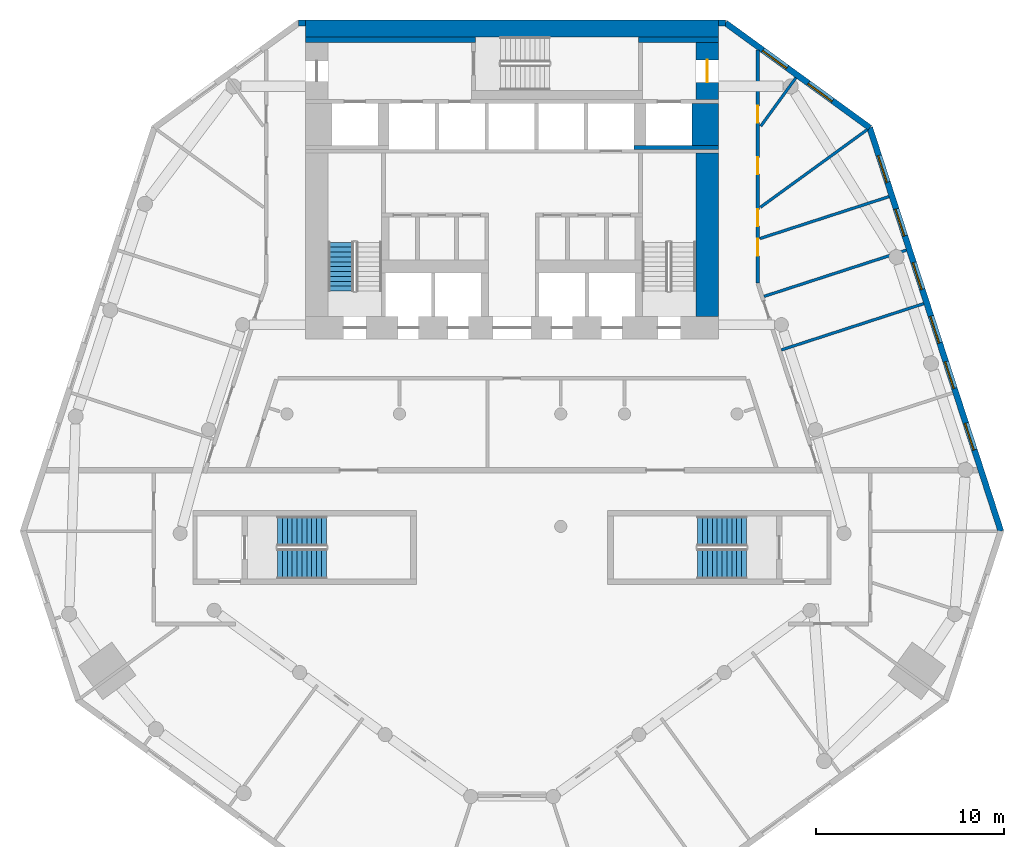
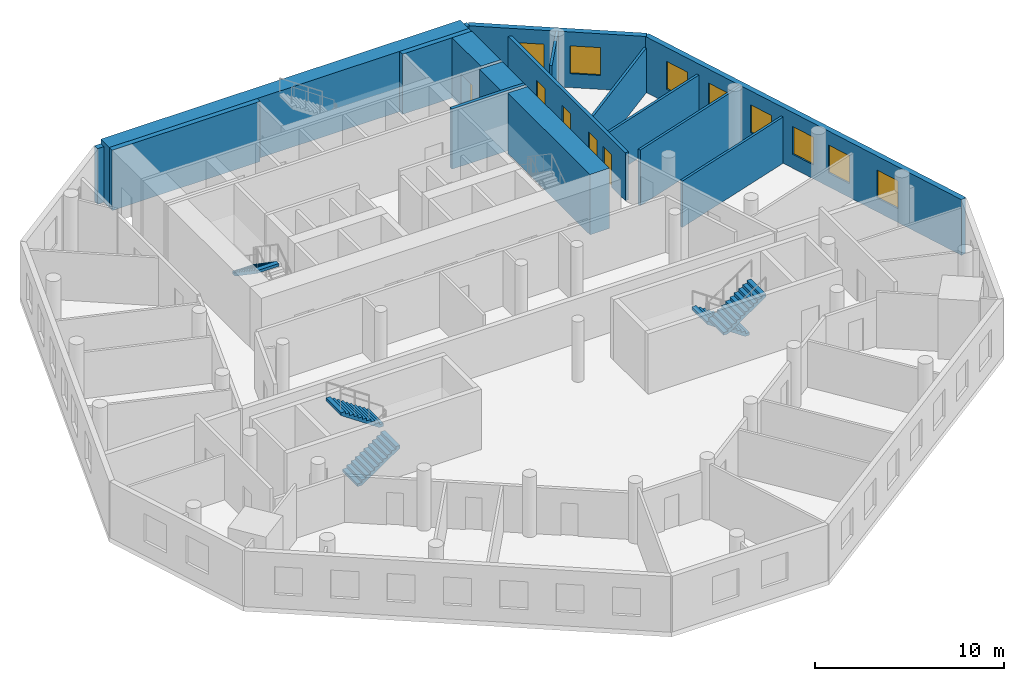
# One storey, part 6 of 9: 17 walls, 8 windows, 5 doors, 5 stair flights, 13 openings, 3 elements without a shape of their own.
"""IFC4 building model written with IfcOpenShell, lengths in metres."""

import ifcopenshell
import ifcopenshell.guid

model = None  # the IFC model being written
_history = None  # IfcOwnerHistory: only IFC2X3 demands one
_inside = {}  # id of a spatial element -> (the spatial element, [elements in it])
_under = {}  # id of a project, library or spatial element -> (it, [spatial elements below it])
_declared = {}  # id of a project -> (the project, [libraries it declares])
_typed = {}  # id of a type object -> (the type object, [elements of that type])
_made_of = {}  # id of a material, layer set ... -> (it, [elements and type objects made of it])


def new_model(schema):
    """Start an empty IFC model of exactly this schema.

    Asked for "IFC4X3", IfcOpenShell would pick the latest addendum, in which some entities
    have other attributes; the version numbers below select the first issue.
    IFC2X3 requires an IfcOwnerHistory on every rooted entity: one is made here for all.
    """
    global model, _history
    if schema == "IFC4X3":
        model = ifcopenshell.file(schema_version=(4, 3, 0, 0))
    else:
        model = ifcopenshell.file(schema=schema)
    _inside.clear()
    _under.clear()
    _declared.clear()
    _typed.clear()
    _made_of.clear()
    _history = None
    if model.schema == "IFC2X3":
        org = make("IfcOrganization", Name="unknown")
        user = make(
            "IfcPersonAndOrganization",
            ThePerson=make("IfcPerson", FamilyName="unknown"),
            TheOrganization=org,
        )
        app = make(
            "IfcApplication",
            ApplicationDeveloper=org,
            Version="unknown",
            ApplicationFullName="unknown",
            ApplicationIdentifier="unknown",
        )
        _history = make(
            "IfcOwnerHistory",
            OwningUser=user,
            OwningApplication=app,
            ChangeAction="ADDED",
            CreationDate=0,
        )
    return model


def make(cls, **values):
    """One entity of the class cls with the attributes given. An attribute that is None is left unset."""
    return model.create_entity(
        cls, **{name: value for name, value in values.items() if value is not None}
    )


def rooted(cls, **values):
    """An entity with a GlobalId (a new one), such as an element, a storey or a relation."""
    return make(cls, GlobalId=ifcopenshell.guid.new(), OwnerHistory=_history, **values)


def si_unit(unit_type, name, prefix=None):
    """IfcSIUnit, for example si_unit("LENGTHUNIT", "METRE", prefix="MILLI")."""
    return make("IfcSIUnit", UnitType=unit_type, Prefix=prefix, Name=name)


def assignment(units):
    """IfcUnitAssignment: the units of a project."""
    return None if units is None else make("IfcUnitAssignment", Units=units)


def point(xyz):
    """IfcCartesianPoint."""
    return None if xyz is None else make("IfcCartesianPoint", Coordinates=xyz)


def direction(xyz):
    """IfcDirection."""
    return None if xyz is None else make("IfcDirection", DirectionRatios=xyz)


def frame(location, z_axis=None, x_axis=None):
    """IfcAxis2Placement3D, a coordinate frame: its origin and axes. An axis left out is left unset."""
    return make(
        "IfcAxis2Placement3D",
        Location=point(location),
        Axis=direction(z_axis),
        RefDirection=direction(x_axis),
    )


def frame_2d(location, x_axis=None):
    """IfcAxis2Placement2D, a coordinate frame in the plane: its origin and x axis."""
    return make(
        "IfcAxis2Placement2D", Location=point(location), RefDirection=direction(x_axis)
    )


def origin():
    """The frame at (0, 0, 0) with its axes left unset."""
    return frame((0.0, 0.0, 0.0))


def place(relative_to, where):
    """IfcLocalPlacement: puts the frame where relative to a parent placement (None: the world)."""
    return make(
        "IfcLocalPlacement", PlacementRelTo=relative_to, RelativePlacement=where
    )


def context(
    kind, dimensions, precision=None, world=None, true_north=None, identifier=None
):
    """IfcGeometricRepresentationContext, for example the 3D "Model" context."""
    return make(
        "IfcGeometricRepresentationContext",
        ContextIdentifier=identifier,
        ContextType=kind,
        CoordinateSpaceDimension=dimensions,
        Precision=precision,
        WorldCoordinateSystem=world,
        TrueNorth=true_north,
    )


def subcontext(parent, identifier, kind, view, scale=None):
    """IfcGeometricRepresentationSubContext, for example "Body" below "Model"."""
    return make(
        "IfcGeometricRepresentationSubContext",
        ContextIdentifier=identifier,
        ContextType=kind,
        ParentContext=parent,
        TargetScale=scale,
        TargetView=view,
    )


def project(units=None, contexts=None):
    """IfcProject with its units and contexts."""
    return rooted(
        "IfcProject",
        Name="project",
        RepresentationContexts=contexts,
        UnitsInContext=assignment(units),
    )


def spatial(cls, under=None, at=None, **own):
    """A site, building, storey or space (cls), placed at a placement, below another one or the project."""
    s = rooted(cls, ObjectPlacement=at, **own)
    if under is not None:
        _under.setdefault(under.id(), (under, []))[1].append(s)
    return s


def polyline(points):
    """IfcPolyline through the points."""
    return make("IfcPolyline", Points=[point(p) for p in points])


def profile(cls, at=None, kind="AREA", **sizes):
    """A parametric profile (cls). Its sizes go by their IFC names, for example OverallWidth=200.0."""
    return make(cls, ProfileType=kind, Position=at, **sizes)


def rectangle(**sizes):
    """IfcRectangleProfileDef."""
    return profile("IfcRectangleProfileDef", **sizes)


def outline(outer, holes=None, kind="AREA"):
    """IfcArbitraryClosedProfileDef: a profile drawn as a closed curve; with holes, ...WithVoids."""
    if holes is None:
        return make("IfcArbitraryClosedProfileDef", ProfileType=kind, OuterCurve=outer)
    return make(
        "IfcArbitraryProfileDefWithVoids",
        ProfileType=kind,
        OuterCurve=outer,
        InnerCurves=holes,
    )


def extrude(swept, where, along, depth):
    """IfcExtrudedAreaSolid: the profile swept, set in the frame where, extruded along a direction by depth."""
    return make(
        "IfcExtrudedAreaSolid",
        SweptArea=swept,
        Position=where,
        ExtrudedDirection=direction(along),
        Depth=depth,
    )


def shape(context_of_items, identifier, shape_type, items):
    """IfcShapeRepresentation: the items that make up one representation, for example the "Body"."""
    return make(
        "IfcShapeRepresentation",
        ContextOfItems=context_of_items,
        RepresentationIdentifier=identifier,
        RepresentationType=shape_type,
        Items=items,
    )


def material(Name=None, Category=None):
    """IfcMaterial."""
    return make("IfcMaterial", Name=Name, Category=Category)


def layer(
    of_material, thickness, ventilated=None, Name=None, Category=None, Priority=None
):
    """IfcMaterialLayer: one layer of a wall or slab, of a material (None: an air gap)."""
    return make(
        "IfcMaterialLayer",
        Material=of_material,
        LayerThickness=thickness,
        IsVentilated=ventilated,
        Name=Name,
        Category=Category,
        Priority=Priority,
    )


def layer_set(layers, Name=None):
    """IfcMaterialLayerSet."""
    return make("IfcMaterialLayerSet", MaterialLayers=layers, LayerSetName=Name)


def made_of(thing, what):
    """Note that an element or type object is made of a material, layer set ...; save() writes the relation."""
    if what is not None:
        _made_of.setdefault(what.id(), (what, []))[1].append(thing)
    return thing


def type_object(cls, material=None, **own):
    """A type object (cls), such as IfcWallType, which elements share."""
    return made_of(rooted(cls, **own), material)


def element(
    cls,
    number,
    at=None,
    inside=None,
    cuts=None,
    type_object=None,
    material=None,
    context=None,
    identifier="Body",
    shape_type=None,
    held_by="IfcProductDefinitionShape",
    body=None,
    shapes=None,
    **own,
):
    """One element of the class cls, such as IfcWall. Its Tag is "e" and its number.

    at: its placement. inside: the storey or other place that contains it. cuts: it is an
    opening in that element (IfcRelVoidsElement). A single representation is given by context,
    identifier, shape_type and body (its items); several are given by shapes. held_by: the class
    of the entity that holds the representations. save() writes the other relations.
    """
    e = rooted(cls, Tag="e%d" % number, ObjectPlacement=at, **own)
    if body is not None:
        shapes = [shape(context, identifier, shape_type, body)]
    if shapes is not None:
        e.Representation = make(held_by, Representations=shapes)
    if inside is not None:
        _inside.setdefault(inside.id(), (inside, []))[1].append(e)
    if cuts is not None:
        rooted(
            "IfcRelVoidsElement", RelatingBuildingElement=cuts, RelatedOpeningElement=e
        )
    if type_object is not None:
        _typed.setdefault(type_object.id(), (type_object, []))[1].append(e)
    return made_of(e, material)


def fill(opening, filler):
    """IfcRelFillsElement: the door or window that sits in an opening."""
    return rooted(
        "IfcRelFillsElement",
        RelatingOpeningElement=opening,
        RelatedBuildingElement=filler,
    )


def aggregate(whole, parts):
    """IfcRelAggregates: a whole, such as a stair, and the parts it consists of."""
    return rooted("IfcRelAggregates", RelatingObject=whole, RelatedObjects=parts)


def save(model, path):
    """Write the relations noted so far, then the file.

    IfcRelAggregates (storeys below a building ...), IfcRelContainedInSpatialStructure (elements
    in a storey), IfcRelDefinesByType, IfcRelAssociatesMaterial and IfcRelDeclares: one each for
    every whole, place, type object, material and project.
    """
    for whole, parts in _under.values():
        aggregate(whole, parts)
    for where, things in _inside.values():
        rooted(
            "IfcRelContainedInSpatialStructure",
            RelatedElements=things,
            RelatingStructure=where,
        )
    for kind, things in _typed.values():
        rooted("IfcRelDefinesByType", RelatedObjects=things, RelatingType=kind)
    for what, things in _made_of.values():
        rooted("IfcRelAssociatesMaterial", RelatedObjects=things, RelatingMaterial=what)
    for by, libraries in _declared.values():
        rooted("IfcRelDeclares", RelatingContext=by, RelatedDefinitions=libraries)
    model.write(path)


model = new_model("IFC4")

# Units and contexts
model_context = context("Model", 3, precision=1e-05, world=origin(), true_north=direction((0.0, 1.0)))
body_context = subcontext(model_context, "Body", "Model", "MODEL_VIEW")
ifc_project = project(units=[si_unit("LENGTHUNIT", "METRE"), si_unit("AREAUNIT", "SQUARE_METRE"), si_unit("VOLUMEUNIT", "CUBIC_METRE"), si_unit("PLANEANGLEUNIT", "RADIAN"), si_unit("MASSUNIT", "GRAM", prefix="KILO")], contexts=[model_context])

# Site, building, storey
site_placement = place(None, origin())
site = spatial("IfcSite", under=ifc_project, at=site_placement, CompositionType="ELEMENT")
building_placement = place(site_placement, origin())
building = spatial("IfcBuilding", under=site, at=building_placement, Name="White Candle Pilgrim Tower", CompositionType="ELEMENT")
storey_placement = place(building_placement, frame((0.0, 0.0, 58.5)))
storey = spatial("IfcBuildingStorey", under=building, at=storey_placement, Name="L11", CompositionType="ELEMENT", Elevation=58.5)

# Wall, opening, door
ifc_material_1 = material(Name="Concrete C70/85", Category="concrete")
ifc_layer_1 = layer(ifc_material_1, 1.199951171875)
ifc_layer_set_1 = layer_set([ifc_layer_1], Name="Core wall 1200 mm Concrete C70/85")
wall_type_1 = type_object("IfcWallType", Name="Core wall 1200 mm Concrete C70/85", PredefinedType="SHEAR", material=ifc_layer_set_1)
wall_1_placement = place(storey_placement, frame((80.39990234375, 83.75, 0.0), z_axis=(0.0, 0.0, 1.0), x_axis=(0.0, 1.0, 0.0)))
wall_1 = element("IfcWall", 1, at=wall_1_placement, inside=storey, type_object=wall_type_1, Name="WL-L11-C48", PredefinedType="SHEAR", context=body_context, shape_type="SweptSolid", body=[
    extrude(rectangle(XDim=3.050048828125, YDim=1.199951171875, at=frame_2d((1.52490234375, 0.0))), origin(), (0.0, 0.0, 1.0), 3.89990234375),
])
opening_1_placement = place(wall_1_placement, frame((0.925048828125, 0.0, 0.0)))
opening_1 = element("IfcOpeningElement", 2, at=opening_1_placement, cuts=wall_1, Name="Opening T03-006", PredefinedType="OPENING", context=body_context, shape_type="SweptSolid", body=[
    extrude(rectangle(XDim=1.199951171875, YDim=2.10009765625, at=frame_2d((0.60009765625, 1.050048828125))), frame((0.0, 0.60986328125, 0.0), z_axis=(0.0, -1.0, 0.0), x_axis=(1.0, 0.0, 0.0)), (0.0, 0.0, 1.0), 1.219970703125),
])
ifc_material_2 = material(Name="Steel door leaf", Category="steel")
door_type_1 = type_object("IfcDoorType", Name="Fire door 1200 x 2100 EI 30", OperationType="NOTDEFINED", PredefinedType="DOOR", material=ifc_material_2)
door_1_placement = place(opening_1_placement, origin())
door_1 = element("IfcDoor", 3, at=door_1_placement, inside=storey, type_object=door_type_1, Name="Door T03-006", OperationType="SINGLE_SWING_RIGHT", OverallHeight=2.10009765625, OverallWidth=1.199951171875, PredefinedType="DOOR", context=body_context, shape_type="SweptSolid", body=[
    extrude(rectangle(XDim=1.199951171875, YDim=2.10009765625, at=frame_2d((0.60009765625, 1.050048828125))), frame((0.0, 0.02490234375, 0.0), z_axis=(0.0, -1.0, 0.0), x_axis=(1.0, 0.0, 0.0)), (0.0, 0.0, 1.0), 0.050048828125),
])
fill(opening_1, door_1)

# Walls
ifc_layer_2 = layer(ifc_material_1, 1.39990234375)
ifc_layer_set_2 = layer_set([ifc_layer_2], Name="Core wall 1400 mm Concrete C70/85")
wall_type_2 = type_object("IfcWallType", Name="Core wall 1400 mm Concrete C70/85", PredefinedType="SHEAR", material=ifc_layer_set_2)
wall_2_placement = place(storey_placement, frame((80.300048828125, 81.300048828125, 0.0), z_axis=(0.0, 0.0, 1.0), x_axis=(0.0, 1.0, 0.0)))
element("IfcWall", 4, at=wall_2_placement, inside=storey, type_object=wall_type_2, Name="WL-L11-C44", PredefinedType="SHEAR", context=body_context, shape_type="SweptSolid", body=[
    extrude(rectangle(XDim=2.25, YDim=1.39990234375, at=frame_2d((1.125, 0.0))), origin(), (0.0, 0.0, 1.0), 3.89990234375),
])
ifc_layer_3 = layer(ifc_material_1, 0.199951171875)
ifc_layer_set_3 = layer_set([ifc_layer_3], Name="Core wall 200 mm Concrete C70/85")
wall_type_3 = type_object("IfcWallType", Name="Core wall 200 mm Concrete C70/85", PredefinedType="SHEAR", material=ifc_layer_set_3)
wall_3_placement = place(storey_placement, frame((76.5, 81.199951171875, 0.0), z_axis=(0.0, 0.0, 1.0), x_axis=(1.0, 0.0, 0.0)))
element("IfcWall", 5, at=wall_3_placement, inside=storey, type_object=wall_type_3, Name="WL-L11-C40", PredefinedType="SHEAR", context=body_context, shape_type="SweptSolid", body=[
    extrude(rectangle(XDim=4.5, YDim=0.199951171875, at=frame_2d((2.25, 0.0))), origin(), (0.0, 0.0, 1.0), 3.89990234375),
])

# Wall, openings, doors
ifc_material_3 = material(Name="Gypsum board on steel studs", Category="steel")
ifc_layer_4 = layer(ifc_material_3, 0.199951171875)
ifc_layer_set_4 = layer_set([ifc_layer_4], Name="Corridor wall 200 mm EI 45")
wall_type_4 = type_object("IfcWallType", Name="Corridor wall 200 mm EI 45", PredefinedType="PARTITIONING", material=ifc_layer_set_4)
wall_4_placement = place(storey_placement, frame((83.10009765625, 86.396240234375, 0.0), z_axis=(0.0, 0.0, 1.0), x_axis=(0.0, -1.0, 0.0)))
wall_4 = element("IfcWall", 6, at=wall_4_placement, inside=storey, type_object=wall_type_4, Name="WL-L11-P004", PredefinedType="PARTITIONING", context=body_context, shape_type="SweptSolid", body=[
    extrude(rectangle(XDim=12.40478515625, YDim=0.199951171875, at=frame_2d((6.202392578125, 0.0))), origin(), (0.0, 0.0, 1.0), 3.10009765625),
])
opening_2_placement = place(wall_4_placement, frame((2.971435546875, 0.0, 0.0)))
opening_2 = element("IfcOpeningElement", 7, at=opening_2_placement, cuts=wall_4, Name="Opening T03-121", PredefinedType="OPENING", context=body_context, shape_type="SweptSolid", body=[
    extrude(rectangle(XDim=0.89990234375, YDim=2.10009765625, at=frame_2d((0.449951171875, 1.050048828125))), frame((0.0, 0.10986328125, 0.0), z_axis=(0.0, -1.0, 0.0), x_axis=(1.0, 0.0, 0.0)), (0.0, 0.0, 1.0), 0.219970703125),
])
opening_3_placement = place(wall_4_placement, frame((5.717041015625, 0.0, 0.0)))
opening_3 = element("IfcOpeningElement", 8, at=opening_3_placement, cuts=wall_4, Name="Opening T03-122", PredefinedType="OPENING", context=body_context, shape_type="SweptSolid", body=[
    extrude(rectangle(XDim=0.89990234375, YDim=2.10009765625, at=frame_2d((0.449951171875, 1.050048828125))), frame((0.0, 0.10986328125, 0.0), z_axis=(0.0, -1.0, 0.0), x_axis=(1.0, 0.0, 0.0)), (0.0, 0.0, 1.0), 0.219970703125),
])
opening_4_placement = place(wall_4_placement, frame((8.486572265625, 0.0, 0.0)))
opening_4 = element("IfcOpeningElement", 9, at=opening_4_placement, cuts=wall_4, Name="Opening T03-123", PredefinedType="OPENING", context=body_context, shape_type="SweptSolid", body=[
    extrude(rectangle(XDim=0.89990234375, YDim=2.10009765625, at=frame_2d((0.449951171875, 1.050048828125))), frame((0.0, 0.10986328125, 0.0), z_axis=(0.0, -1.0, 0.0), x_axis=(1.0, 0.0, 0.0)), (0.0, 0.0, 1.0), 0.219970703125),
])
opening_5_placement = place(wall_4_placement, frame((10.068603515625, 0.0, 0.0)))
opening_5 = element("IfcOpeningElement", 10, at=opening_5_placement, cuts=wall_4, Name="Opening T03-124", PredefinedType="OPENING", context=body_context, shape_type="SweptSolid", body=[
    extrude(rectangle(XDim=0.89990234375, YDim=2.10009765625, at=frame_2d((0.449951171875, 1.050048828125))), frame((0.0, 0.10986328125, 0.0), z_axis=(0.0, -1.0, 0.0), x_axis=(1.0, 0.0, 0.0)), (0.0, 0.0, 1.0), 0.219970703125),
])
door_type_2 = type_object("IfcDoorType", Name="Fire door 900 x 2100 EI 30", OperationType="NOTDEFINED", PredefinedType="DOOR", material=ifc_material_2)
door_2_placement = place(opening_2_placement, origin())
door_2 = element("IfcDoor", 11, at=door_2_placement, inside=storey, type_object=door_type_2, Name="Door T03-121", OperationType="SINGLE_SWING_LEFT", OverallHeight=2.10009765625, OverallWidth=0.89990234375, PredefinedType="DOOR", context=body_context, shape_type="SweptSolid", body=[
    extrude(rectangle(XDim=0.89990234375, YDim=2.10009765625, at=frame_2d((0.449951171875, 1.050048828125))), frame((0.0, 0.02490234375, 0.0), z_axis=(0.0, -1.0, 0.0), x_axis=(1.0, 0.0, 0.0)), (0.0, 0.0, 1.0), 0.050048828125),
])
fill(opening_2, door_2)
door_3_placement = place(opening_3_placement, origin())
door_3 = element("IfcDoor", 12, at=door_3_placement, inside=storey, type_object=door_type_2, Name="Door T03-122", OperationType="SINGLE_SWING_RIGHT", OverallHeight=2.10009765625, OverallWidth=0.89990234375, PredefinedType="DOOR", context=body_context, shape_type="SweptSolid", body=[
    extrude(rectangle(XDim=0.89990234375, YDim=2.10009765625, at=frame_2d((0.449951171875, 1.050048828125))), frame((0.0, 0.02490234375, 0.0), z_axis=(0.0, -1.0, 0.0), x_axis=(1.0, 0.0, 0.0)), (0.0, 0.0, 1.0), 0.050048828125),
])
fill(opening_3, door_3)
door_4_placement = place(opening_4_placement, origin())
door_4 = element("IfcDoor", 13, at=door_4_placement, inside=storey, type_object=door_type_2, Name="Door T03-123", OperationType="SINGLE_SWING_LEFT", OverallHeight=2.10009765625, OverallWidth=0.89990234375, PredefinedType="DOOR", context=body_context, shape_type="SweptSolid", body=[
    extrude(rectangle(XDim=0.89990234375, YDim=2.10009765625, at=frame_2d((0.449951171875, 1.050048828125))), frame((0.0, 0.02490234375, 0.0), z_axis=(0.0, -1.0, 0.0), x_axis=(1.0, 0.0, 0.0)), (0.0, 0.0, 1.0), 0.050048828125),
])
fill(opening_4, door_4)
door_5_placement = place(opening_5_placement, origin())
door_5 = element("IfcDoor", 14, at=door_5_placement, inside=storey, type_object=door_type_2, Name="Door T03-124", OperationType="SINGLE_SWING_RIGHT", OverallHeight=2.10009765625, OverallWidth=0.89990234375, PredefinedType="DOOR", context=body_context, shape_type="SweptSolid", body=[
    extrude(rectangle(XDim=0.89990234375, YDim=2.10009765625, at=frame_2d((0.449951171875, 1.050048828125))), frame((0.0, 0.02490234375, 0.0), z_axis=(0.0, -1.0, 0.0), x_axis=(1.0, 0.0, 0.0)), (0.0, 0.0, 1.0), 0.050048828125),
])
fill(opening_5, door_5)

# Wall, openings, windows
ifc_material_4 = material(Name="Precast concrete C40/50", Category="concrete")
ifc_layer_5 = layer(ifc_material_4, 0.320068359375)
ifc_layer_set_5 = layer_set([ifc_layer_5], Name="Facade wall EW1 precast concrete C40/50 pier wall with timber-lined reveals")
wall_type_5 = type_object("IfcWallType", Name="Facade wall EW1 precast concrete C40/50 pier wall with timber-lined reveals", PredefinedType="SOLIDWALL", material=ifc_layer_set_5)
wall_5_placement = place(storey_placement, frame((96.062255859375, 60.747314453125, 0.0), z_axis=(0.0, 0.0, 1.0), x_axis=(-0.309021621323, 0.951055012896, 0.0)))
wall_5 = element("IfcWall", 15, at=wall_5_placement, inside=storey, type_object=wall_type_5, Name="Facade wall L11 ENE", PredefinedType="SOLIDWALL", context=body_context, shape_type="SweptSolid", body=[
    extrude(rectangle(XDim=22.612548828125, YDim=0.320068359375, at=frame_2d((11.30615234375, 0.0))), origin(), (0.0, 0.0, 1.0), 3.60009765625),
])
opening_6_placement = place(wall_5_placement, frame((4.556396484375, 0.0, 0.89990234375)))
opening_6 = element("IfcOpeningElement", 16, at=opening_6_placement, cuts=wall_5, Name="Opening W1", PredefinedType="OPENING", context=body_context, shape_type="SweptSolid", body=[
    extrude(rectangle(XDim=1.5, YDim=1.800048828125, at=frame_2d((0.75, 0.89990234375))), frame((0.0, 0.169921875, 0.0), z_axis=(0.0, -1.0, 0.0), x_axis=(1.0, 0.0, 0.0)), (0.0, 0.0, 1.0), 0.340087890625),
])
opening_7_placement = place(wall_5_placement, frame((8.00634765625, 0.0, 0.89990234375)))
opening_7 = element("IfcOpeningElement", 17, at=opening_7_placement, cuts=wall_5, Name="Opening W1", PredefinedType="OPENING", context=body_context, shape_type="SweptSolid", body=[
    extrude(rectangle(XDim=1.5, YDim=1.800048828125, at=frame_2d((0.75, 0.89990234375))), frame((0.0, 0.169921875, 0.0), z_axis=(0.0, -1.0, 0.0), x_axis=(1.0, 0.0, 0.0)), (0.0, 0.0, 1.0), 0.340087890625),
])
opening_8_placement = place(wall_5_placement, frame((10.556396484375, 0.0, 0.89990234375)))
opening_8 = element("IfcOpeningElement", 18, at=opening_8_placement, cuts=wall_5, Name="Opening W1", PredefinedType="OPENING", context=body_context, shape_type="SweptSolid", body=[
    extrude(rectangle(XDim=1.5, YDim=1.800048828125, at=frame_2d((0.75, 0.89990234375))), frame((0.0, 0.169921875, 0.0), z_axis=(0.0, -1.0, 0.0), x_axis=(1.0, 0.0, 0.0)), (0.0, 0.0, 1.0), 0.340087890625),
])
opening_9_placement = place(wall_5_placement, frame((13.556396484375, 0.0, 0.89990234375)))
opening_9 = element("IfcOpeningElement", 19, at=opening_9_placement, cuts=wall_5, Name="Opening W1", PredefinedType="OPENING", context=body_context, shape_type="SweptSolid", body=[
    extrude(rectangle(XDim=1.5, YDim=1.800048828125, at=frame_2d((0.75, 0.89990234375))), frame((0.0, 0.169921875, 0.0), z_axis=(0.0, -1.0, 0.0), x_axis=(1.0, 0.0, 0.0)), (0.0, 0.0, 1.0), 0.340087890625),
])
opening_10_placement = place(wall_5_placement, frame((16.556396484375, 0.0, 0.89990234375)))
opening_10 = element("IfcOpeningElement", 20, at=opening_10_placement, cuts=wall_5, Name="Opening W1", PredefinedType="OPENING", context=body_context, shape_type="SweptSolid", body=[
    extrude(rectangle(XDim=1.5, YDim=1.800048828125, at=frame_2d((0.75, 0.89990234375))), frame((0.0, 0.169921875, 0.0), z_axis=(0.0, -1.0, 0.0), x_axis=(1.0, 0.0, 0.0)), (0.0, 0.0, 1.0), 0.340087890625),
])
opening_11_placement = place(wall_5_placement, frame((19.556396484375, 0.0, 0.89990234375)))
opening_11 = element("IfcOpeningElement", 21, at=opening_11_placement, cuts=wall_5, Name="Opening W1", PredefinedType="OPENING", context=body_context, shape_type="SweptSolid", body=[
    extrude(rectangle(XDim=1.5, YDim=1.800048828125, at=frame_2d((0.75, 0.89990234375))), frame((0.0, 0.169921875, 0.0), z_axis=(0.0, -1.0, 0.0), x_axis=(1.0, 0.0, 0.0)), (0.0, 0.0, 1.0), 0.340087890625),
])
ifc_material_5 = material(Name="Timber frame with triple glazing", Category="wood")
window_type_1 = type_object("IfcWindowType", Name="Window W1 1500x1800 timber frame triple glazing", PartitioningType="SINGLE_PANEL", PredefinedType="WINDOW", material=ifc_material_5)
window_1_placement = place(opening_6_placement, origin())
window_1 = element("IfcWindow", 22, at=window_1_placement, inside=storey, type_object=window_type_1, Name="Window W1 L11 ENE 2", OverallHeight=1.800048828125, OverallWidth=1.5, PartitioningType="SINGLE_PANEL", PredefinedType="WINDOW", context=body_context, shape_type="SweptSolid", body=[
    extrude(rectangle(XDim=1.5, YDim=1.800048828125, at=frame_2d((0.75, 0.89990234375))), frame((0.0, 0.070068359375, 0.0), z_axis=(0.0, -1.0, 0.0), x_axis=(1.0, 0.0, 0.0)), (0.0, 0.0, 1.0), 0.06005859375),
])
fill(opening_6, window_1)
window_2_placement = place(opening_7_placement, origin())
window_2 = element("IfcWindow", 23, at=window_2_placement, inside=storey, type_object=window_type_1, Name="Window W1 L11 ENE 3", OverallHeight=1.800048828125, OverallWidth=1.5, PartitioningType="SINGLE_PANEL", PredefinedType="WINDOW", context=body_context, shape_type="SweptSolid", body=[
    extrude(rectangle(XDim=1.5, YDim=1.800048828125, at=frame_2d((0.75, 0.89990234375))), frame((0.0, 0.070068359375, 0.0), z_axis=(0.0, -1.0, 0.0), x_axis=(1.0, 0.0, 0.0)), (0.0, 0.0, 1.0), 0.06005859375),
])
fill(opening_7, window_2)
window_3_placement = place(opening_8_placement, origin())
window_3 = element("IfcWindow", 24, at=window_3_placement, inside=storey, type_object=window_type_1, Name="Window W1 L11 ENE 4", OverallHeight=1.800048828125, OverallWidth=1.5, PartitioningType="SINGLE_PANEL", PredefinedType="WINDOW", context=body_context, shape_type="SweptSolid", body=[
    extrude(rectangle(XDim=1.5, YDim=1.800048828125, at=frame_2d((0.75, 0.89990234375))), frame((0.0, 0.070068359375, 0.0), z_axis=(0.0, -1.0, 0.0), x_axis=(1.0, 0.0, 0.0)), (0.0, 0.0, 1.0), 0.06005859375),
])
fill(opening_8, window_3)
window_4_placement = place(opening_9_placement, origin())
window_4 = element("IfcWindow", 25, at=window_4_placement, inside=storey, type_object=window_type_1, Name="Window W1 L11 ENE 5", OverallHeight=1.800048828125, OverallWidth=1.5, PartitioningType="SINGLE_PANEL", PredefinedType="WINDOW", context=body_context, shape_type="SweptSolid", body=[
    extrude(rectangle(XDim=1.5, YDim=1.800048828125, at=frame_2d((0.75, 0.89990234375))), frame((0.0, 0.070068359375, 0.0), z_axis=(0.0, -1.0, 0.0), x_axis=(1.0, 0.0, 0.0)), (0.0, 0.0, 1.0), 0.06005859375),
])
fill(opening_9, window_4)
window_5_placement = place(opening_10_placement, origin())
window_5 = element("IfcWindow", 26, at=window_5_placement, inside=storey, type_object=window_type_1, Name="Window W1 L11 ENE 6", OverallHeight=1.800048828125, OverallWidth=1.5, PartitioningType="SINGLE_PANEL", PredefinedType="WINDOW", context=body_context, shape_type="SweptSolid", body=[
    extrude(rectangle(XDim=1.5, YDim=1.800048828125, at=frame_2d((0.75, 0.89990234375))), frame((0.0, 0.070068359375, 0.0), z_axis=(0.0, -1.0, 0.0), x_axis=(1.0, 0.0, 0.0)), (0.0, 0.0, 1.0), 0.06005859375),
])
fill(opening_10, window_5)
window_6_placement = place(opening_11_placement, origin())
window_6 = element("IfcWindow", 27, at=window_6_placement, inside=storey, type_object=window_type_1, Name="Window W1 L11 ENE 7", OverallHeight=1.800048828125, OverallWidth=1.5, PartitioningType="SINGLE_PANEL", PredefinedType="WINDOW", context=body_context, shape_type="SweptSolid", body=[
    extrude(rectangle(XDim=1.5, YDim=1.800048828125, at=frame_2d((0.75, 0.89990234375))), frame((0.0, 0.070068359375, 0.0), z_axis=(0.0, -1.0, 0.0), x_axis=(1.0, 0.0, 0.0)), (0.0, 0.0, 1.0), 0.06005859375),
])
fill(opening_11, window_6)

wall_6_placement = place(storey_placement, frame((89.074462890625, 82.253173828125, 0.0), z_axis=(0.0, 0.0, 1.0), x_axis=(-0.809007020713, 0.587798979616, 0.0)))
wall_6 = element("IfcWall", 28, at=wall_6_placement, inside=storey, type_object=wall_type_5, Name="Facade wall L11 NE chamfer", PredefinedType="SOLIDWALL", context=body_context, shape_type="SweptSolid", body=[
    extrude(rectangle(XDim=9.5048828125, YDim=0.320068359375, at=frame_2d((4.75244140625, 0.0))), origin(), (0.0, 0.0, 1.0), 3.60009765625),
])
opening_12_placement = place(wall_6_placement, frame((2.452392578125, 0.0, 0.89990234375)))
opening_12 = element("IfcOpeningElement", 29, at=opening_12_placement, cuts=wall_6, Name="Opening W2", PredefinedType="OPENING", context=body_context, shape_type="SweptSolid", body=[
    extrude(rectangle(XDim=1.60009765625, YDim=1.800048828125, at=frame_2d((0.800048828125, 0.89990234375))), frame((0.0, 0.169921875, 0.0), z_axis=(0.0, -1.0, 0.0), x_axis=(1.0, 0.0, 0.0)), (0.0, 0.0, 1.0), 0.340087890625),
])
opening_13_placement = place(wall_6_placement, frame((5.445068359375, 0.0, 0.89990234375)))
opening_13 = element("IfcOpeningElement", 30, at=opening_13_placement, cuts=wall_6, Name="Opening W2", PredefinedType="OPENING", context=body_context, shape_type="SweptSolid", body=[
    extrude(rectangle(XDim=1.60009765625, YDim=1.800048828125, at=frame_2d((0.800048828125, 0.89990234375))), frame((0.0, 0.169921875, 0.0), z_axis=(0.0, -1.0, 0.0), x_axis=(1.0, 0.0, 0.0)), (0.0, 0.0, 1.0), 0.340087890625),
])
window_type_2 = type_object("IfcWindowType", Name="Window W2 1600x1800 timber frame triple glazing", PartitioningType="SINGLE_PANEL", PredefinedType="WINDOW", material=ifc_material_5)
window_7_placement = place(opening_12_placement, origin())
window_7 = element("IfcWindow", 31, at=window_7_placement, inside=storey, type_object=window_type_2, Name="Window W2 L11 NE chamfer 1", OverallHeight=1.800048828125, OverallWidth=1.60009765625, PartitioningType="SINGLE_PANEL", PredefinedType="WINDOW", context=body_context, shape_type="SweptSolid", body=[
    extrude(rectangle(XDim=1.60009765625, YDim=1.800048828125, at=frame_2d((0.800048828125, 0.89990234375))), frame((0.0, 0.070068359375, 0.0), z_axis=(0.0, -1.0, 0.0), x_axis=(1.0, 0.0, 0.0)), (0.0, 0.0, 1.0), 0.06005859375),
])
fill(opening_12, window_7)
window_8_placement = place(opening_13_placement, origin())
window_8 = element("IfcWindow", 32, at=window_8_placement, inside=storey, type_object=window_type_2, Name="Window W2 L11 NE chamfer 2", OverallHeight=1.800048828125, OverallWidth=1.60009765625, PartitioningType="SINGLE_PANEL", PredefinedType="WINDOW", context=body_context, shape_type="SweptSolid", body=[
    extrude(rectangle(XDim=1.60009765625, YDim=1.800048828125, at=frame_2d((0.800048828125, 0.89990234375))), frame((0.0, 0.070068359375, 0.0), z_axis=(0.0, -1.0, 0.0), x_axis=(1.0, 0.0, 0.0)), (0.0, 0.0, 1.0), 0.06005859375),
])
fill(opening_13, window_8)

# Walls
for number, where, z_axis, x_axis, name in (
    (33, (81.385009765625, 87.840087890625, 0.0), (0.0, 0.0, 1.0), (-1.0, 0.0, 0.0), "Facade wall L11 N"),
    (34, (59.0, 87.840087890625, 0.0), (0.0, 0.0, 1.0), (-1.0, 0.0, 0.0), "Facade wall L11 N"),
):
    element("IfcWall", number, at=place(storey_placement, frame(where, z_axis=z_axis, x_axis=x_axis)), inside=storey, type_object=wall_type_5, Name=name, PredefinedType="SOLIDWALL", context=body_context, shape_type="SweptSolid", body=[
        extrude(rectangle(XDim=0.385009765625, YDim=0.320068359375, at=frame_2d((0.1923828125, 0.0))), origin(), (0.0, 0.0, 1.0), 3.60009765625),
    ])
ifc_layer_6 = layer(ifc_material_3, 0.14990234375)
ifc_layer_set_6 = layer_set([ifc_layer_6], Name="Partition 150 mm EI 60")
wall_type_6 = type_object("IfcWallType", Name="Partition 150 mm EI 60", PredefinedType="PARTITIONING", material=ifc_layer_set_6)
wall_7_placement = place(storey_placement, frame((88.9384765625, 82.154296875, 0.0), z_axis=(0.0, 0.0, 1.0), x_axis=(-0.809014980817, -0.587788023707, 0.0)))
element("IfcWall", 35, at=wall_7_placement, inside=storey, type_object=wall_type_6, Name="WL-L11-P023", PredefinedType="PARTITIONING", context=body_context, shape_type="SweptSolid", body=[
    extrude(rectangle(XDim=7.03857421875, YDim=0.14990234375, at=frame_2d((3.519287109375, 0.0))), origin(), (0.0, 0.0, 1.0), 2.89990234375),
])
wall_8_placement = place(storey_placement, frame((91.95263671875, 72.87744140625, 0.0), z_axis=(0.0, 0.0, 1.0), x_axis=(-0.951060595449, -0.309004439749, 0.0)))
element("IfcWall", 36, at=wall_8_placement, inside=storey, type_object=wall_type_6, Name="WL-L11-P035", PredefinedType="PARTITIONING", context=body_context, shape_type="SweptSolid", body=[
    extrude(rectangle(XDim=7.97998046875, YDim=0.14990234375, at=frame_2d((3.989990234375, 0.0))), origin(), (0.0, 0.0, 1.0), 3.0),
])
wall_9_placement = place(storey_placement, frame((91.025634765625, 75.730712890625, 0.0), z_axis=(0.0, 0.0, 1.0), x_axis=(-0.95105160396, -0.309032112578, 0.0)))
element("IfcWall", 37, at=wall_9_placement, inside=storey, type_object=wall_type_6, Name="WL-L11-P036", PredefinedType="PARTITIONING", context=body_context, shape_type="SweptSolid", body=[
    extrude(rectangle(XDim=7.97998046875, YDim=0.14990234375, at=frame_2d((3.989990234375, 0.0))), origin(), (0.0, 0.0, 1.0), 3.60009765625),
])
wall_10_placement = place(storey_placement, frame((90.098388671875, 78.583740234375, 0.0), z_axis=(0.0, 0.0, 1.0), x_axis=(-0.951057147206, -0.309015052624, 0.0)))
element("IfcWall", 38, at=wall_10_placement, inside=storey, type_object=wall_type_6, Name="WL-L11-P037", PredefinedType="PARTITIONING", context=body_context, shape_type="SweptSolid", body=[
    extrude(rectangle(XDim=7.22900390625, YDim=0.14990234375, at=frame_2d((3.614501953125, 0.0))), origin(), (0.0, 0.0, 1.0), 2.89990234375),
])
wall_11_placement = place(storey_placement, frame((85.1357421875, 84.917236328125, 0.0), z_axis=(0.0, 0.0, 1.0), x_axis=(-0.587771173364, -0.809027223128, 0.0)))
element("IfcWall", 39, at=wall_11_placement, inside=storey, type_object=wall_type_6, Name="WL-L11-P038", PredefinedType="PARTITIONING", context=body_context, shape_type="SweptSolid", body=[
    extrude(rectangle(XDim=3.18994140625, YDim=0.14990234375, at=frame_2d((1.594970703125, 0.0))), origin(), (0.0, 0.0, 1.0), 3.60009765625),
])
ifc_layer_7 = layer(ifc_material_1, 1.199951171875)
ifc_layer_set_7 = layer_set([ifc_layer_7], Name="Stair shaft wall 1200 mm Concrete C70/85")
wall_type_7 = type_object("IfcWallType", Name="Stair shaft wall 1200 mm Concrete C70/85", PredefinedType="SHEAR", material=ifc_layer_set_7)
wall_12_placement = place(storey_placement, frame((80.39990234375, 72.199951171875, 0.0), z_axis=(0.0, 0.0, 1.0), x_axis=(0.0, 1.0, 0.0)))
element("IfcWall", 40, at=wall_12_placement, inside=storey, type_object=wall_type_7, Name="WL-L11-C19", PredefinedType="SHEAR", context=body_context, shape_type="SweptSolid", body=[
    extrude(rectangle(XDim=8.699951171875, YDim=1.199951171875, at=frame_2d((4.35009765625, 0.0))), origin(), (0.0, 0.0, 1.0), 3.89990234375),
])
ifc_layer_8 = layer(ifc_material_1, 0.300048828125)
ifc_layer_set_8 = layer_set([ifc_layer_8], Name="Stair shaft wall 300 mm Concrete C70/85")
wall_type_8 = type_object("IfcWallType", Name="Stair shaft wall 300 mm Concrete C70/85", PredefinedType="SHEAR", material=ifc_layer_set_8)
wall_13_placement = place(storey_placement, frame((59.0, 86.949951171875, 0.0), z_axis=(0.0, 0.0, 1.0), x_axis=(1.0, 0.0, 0.0)))
element("IfcWall", 41, at=wall_13_placement, inside=storey, type_object=wall_type_8, Name="WL-L11-C51", PredefinedType="SHEAR", context=body_context, shape_type="SweptSolid", body=[
    extrude(rectangle(XDim=9.050048828125, YDim=0.300048828125, at=frame_2d((4.52490234375, 0.0))), origin(), (0.0, 0.0, 1.0), 3.89990234375),
])
wall_14_placement = place(storey_placement, frame((76.75, 86.949951171875, 0.0), z_axis=(0.0, 0.0, 1.0), x_axis=(1.0, 0.0, 0.0)))
element("IfcWall", 42, at=wall_14_placement, inside=storey, type_object=wall_type_8, Name="WL-L11-C52", PredefinedType="SHEAR", context=body_context, shape_type="SweptSolid", body=[
    extrude(rectangle(XDim=4.25, YDim=0.300048828125, at=frame_2d((2.125, 0.0))), origin(), (0.0, 0.0, 1.0), 3.89990234375),
])
ifc_layer_9 = layer(ifc_material_1, 0.89990234375)
ifc_layer_set_9 = layer_set([ifc_layer_9], Name="Stair shaft wall 900 mm Concrete C70/85")
wall_type_9 = type_object("IfcWallType", Name="Stair shaft wall 900 mm Concrete C70/85", PredefinedType="SHEAR", material=ifc_layer_set_9)
wall_15_placement = place(storey_placement, frame((59.0, 87.550048828125, 0.0), z_axis=(0.0, 0.0, 1.0), x_axis=(1.0, 0.0, 0.0)))
element("IfcWall", 43, at=wall_15_placement, inside=storey, type_object=wall_type_9, Name="WL-L11-C53", PredefinedType="SHEAR", context=body_context, shape_type="SweptSolid", body=[
    extrude(rectangle(XDim=22.0, YDim=0.89990234375, at=frame_2d((11.0, 0.0))), origin(), (0.0, 0.0, 1.0), 3.89990234375),
])

# Stair, stair flight
ifc_material_6 = material(Name="Concrete C40/50", Category="concrete")
stair_type_1 = type_object("IfcStairType", Name="Exit stair 1 flight width 1350 mm", PredefinedType="HALF_TURN_STAIR", material=ifc_material_6)
stair_1_placement = place(storey_placement, origin())
stair_1 = element("IfcStair", 44, at=stair_1_placement, inside=storey, type_object=stair_type_1, Name="L11 stair 1", PredefinedType="NOTDEFINED")
ifc_layer_10 = layer(ifc_material_6, 0.14990234375)
ifc_layer_set_10 = layer_set([ifc_layer_10], Name="Stair flight Concrete C40/50")
stair_flight_type = type_object("IfcStairFlightType", Name="Stair flight Concrete C40/50", PredefinedType="STRAIGHT", material=ifc_layer_set_10)
stair_flight_1_placement = place(storey_placement, frame((60.875, 76.14990234375, 1.949951171875), z_axis=(0.0, 0.0, 1.0), x_axis=(0.0, -1.0, 0.0)))
stair_flight_1 = element("IfcStairFlight", 45, at=stair_flight_1_placement, type_object=stair_flight_type, Name="ST1 flight 2", NumberOfRisers=11, NumberOfTreads=10, PredefinedType="NOTDEFINED", RiserHeight=0.177272727, TreadLength=0.26, context=body_context, shape_type="SweptSolid", body=[
    extrude(outline(polyline([(0.0, 0.0), (0.0, 0.17724609375), (0.260009765625, 0.17724609375), (0.260009765625, 0.3544921875), (0.52001953125, 0.3544921875), (0.52001953125, 0.53173828125), (0.780029296875, 0.53173828125), (0.780029296875, 0.708984375), (1.0400390625, 0.708984375), (1.0400390625, 0.886474609375), (1.300048828125, 0.886474609375), (1.300048828125, 1.063720703125), (1.56005859375, 1.063720703125), (1.56005859375, 1.240966796875), (1.820068359375, 1.240966796875), (1.820068359375, 1.418212890625), (2.080078125, 1.418212890625), (2.080078125, 1.595458984375), (2.340087890625, 1.595458984375), (2.340087890625, 1.772705078125), (2.60009765625, 1.772705078125), (2.60009765625, 1.949951171875), (2.60009765625, 1.59130859375), (0.26611328125, 0.0), (0.0, 0.0)])), frame((0.0, 0.675048828125, 0.0), z_axis=(0.0, -1.0, 0.0), x_axis=(1.0, 0.0, 0.0)), (0.0, 0.0, 1.0), 1.35009765625),
])
aggregate(stair_1, [stair_flight_1])

# Stair, stair flights
stair_type_2 = type_object("IfcStairType", Name="Exit stair 4 flight width 1600 mm", PredefinedType="HALF_TURN_STAIR", material=ifc_material_6)
stair_2_placement = place(storey_placement, origin())
stair_2 = element("IfcStair", 46, at=stair_2_placement, inside=storey, type_object=stair_type_2, Name="L11 stair 4", PredefinedType="NOTDEFINED")
stair_flight_2_placement = place(storey_placement, frame((82.5, 60.75, 0.0), z_axis=(0.0, 0.0, 1.0), x_axis=(-1.0, 0.0, 0.0)))
stair_flight_2 = element("IfcStairFlight", 47, at=stair_flight_2_placement, type_object=stair_flight_type, Name="ST4 flight 1", NumberOfRisers=11, NumberOfTreads=10, PredefinedType="NOTDEFINED", RiserHeight=0.177272727, TreadLength=0.26, context=body_context, shape_type="SweptSolid", body=[
    extrude(outline(polyline([(0.0, 0.0), (0.0, 0.17724609375), (0.260009765625, 0.17724609375), (0.260009765625, 0.3544921875), (0.52001953125, 0.3544921875), (0.52001953125, 0.53173828125), (0.780029296875, 0.53173828125), (0.780029296875, 0.708984375), (1.0400390625, 0.708984375), (1.0400390625, 0.886474609375), (1.300048828125, 0.886474609375), (1.300048828125, 1.063720703125), (1.56005859375, 1.063720703125), (1.56005859375, 1.240966796875), (1.820068359375, 1.240966796875), (1.820068359375, 1.418212890625), (2.080078125, 1.418212890625), (2.080078125, 1.595458984375), (2.340087890625, 1.595458984375), (2.340087890625, 1.772705078125), (2.60009765625, 1.772705078125), (2.60009765625, 1.949951171875), (2.60009765625, 1.59130859375), (0.26611328125, 0.0), (0.0, 0.0)])), frame((0.0, 0.800048828125, 0.0), z_axis=(0.0, -1.0, 0.0), x_axis=(1.0, 0.0, 0.0)), (0.0, 0.0, 1.0), 1.60009765625),
])
stair_flight_3_placement = place(storey_placement, frame((79.89990234375, 59.0, 1.949951171875), z_axis=(0.0, 0.0, 1.0), x_axis=(1.0, 0.0, 0.0)))
stair_flight_3 = element("IfcStairFlight", 48, at=stair_flight_3_placement, type_object=stair_flight_type, Name="ST4 flight 2", NumberOfRisers=11, NumberOfTreads=10, PredefinedType="NOTDEFINED", RiserHeight=0.177272727, TreadLength=0.26, context=body_context, shape_type="SweptSolid", body=[
    extrude(outline(polyline([(0.0, 0.0), (0.0, 0.17724609375), (0.260009765625, 0.17724609375), (0.260009765625, 0.3544921875), (0.52001953125, 0.3544921875), (0.52001953125, 0.53173828125), (0.780029296875, 0.53173828125), (0.780029296875, 0.708984375), (1.0400390625, 0.708984375), (1.0400390625, 0.886474609375), (1.300048828125, 0.886474609375), (1.300048828125, 1.063720703125), (1.56005859375, 1.063720703125), (1.56005859375, 1.240966796875), (1.820068359375, 1.240966796875), (1.820068359375, 1.418212890625), (2.080078125, 1.418212890625), (2.080078125, 1.595458984375), (2.340087890625, 1.595458984375), (2.340087890625, 1.772705078125), (2.60009765625, 1.772705078125), (2.60009765625, 1.949951171875), (2.60009765625, 1.59130859375), (0.26611328125, 0.0), (0.0, 0.0)])), frame((0.0, 0.800048828125, 0.0), z_axis=(0.0, -1.0, 0.0), x_axis=(1.0, 0.0, 0.0)), (0.0, 0.0, 1.0), 1.60009765625),
])
aggregate(stair_2, [stair_flight_2, stair_flight_3])

stair_type_3 = type_object("IfcStairType", Name="Exit stair 5 flight width 1600 mm", PredefinedType="HALF_TURN_STAIR", material=ifc_material_6)
stair_3_placement = place(storey_placement, origin())
stair_3 = element("IfcStair", 49, at=stair_3_placement, inside=storey, type_object=stair_type_3, Name="L11 stair 5", PredefinedType="NOTDEFINED")
stair_flight_4_placement = place(storey_placement, frame((57.5, 59.0, 0.0), z_axis=(0.0, 0.0, 1.0), x_axis=(1.0, 0.0, 0.0)))
stair_flight_4 = element("IfcStairFlight", 50, at=stair_flight_4_placement, type_object=stair_flight_type, Name="ST5 flight 1", NumberOfRisers=11, NumberOfTreads=10, PredefinedType="NOTDEFINED", RiserHeight=0.177272727, TreadLength=0.26, context=body_context, shape_type="SweptSolid", body=[
    extrude(outline(polyline([(0.0, 0.0), (0.0, 0.17724609375), (0.260009765625, 0.17724609375), (0.260009765625, 0.3544921875), (0.52001953125, 0.3544921875), (0.52001953125, 0.53173828125), (0.780029296875, 0.53173828125), (0.780029296875, 0.708984375), (1.0400390625, 0.708984375), (1.0400390625, 0.886474609375), (1.300048828125, 0.886474609375), (1.300048828125, 1.063720703125), (1.56005859375, 1.063720703125), (1.56005859375, 1.240966796875), (1.820068359375, 1.240966796875), (1.820068359375, 1.418212890625), (2.080078125, 1.418212890625), (2.080078125, 1.595458984375), (2.340087890625, 1.595458984375), (2.340087890625, 1.772705078125), (2.60009765625, 1.772705078125), (2.60009765625, 1.949951171875), (2.60009765625, 1.59130859375), (0.26611328125, 0.0), (0.0, 0.0)])), frame((0.0, 0.800048828125, 0.0), z_axis=(0.0, -1.0, 0.0), x_axis=(1.0, 0.0, 0.0)), (0.0, 0.0, 1.0), 1.60009765625),
])
stair_flight_5_placement = place(storey_placement, frame((60.10009765625, 60.75, 1.949951171875), z_axis=(0.0, 0.0, 1.0), x_axis=(-1.0, 0.0, 0.0)))
stair_flight_5 = element("IfcStairFlight", 51, at=stair_flight_5_placement, type_object=stair_flight_type, Name="ST5 flight 2", NumberOfRisers=11, NumberOfTreads=10, PredefinedType="NOTDEFINED", RiserHeight=0.177272727, TreadLength=0.26, context=body_context, shape_type="SweptSolid", body=[
    extrude(outline(polyline([(0.0, 0.0), (0.0, 0.17724609375), (0.260009765625, 0.17724609375), (0.260009765625, 0.3544921875), (0.52001953125, 0.3544921875), (0.52001953125, 0.53173828125), (0.780029296875, 0.53173828125), (0.780029296875, 0.708984375), (1.0400390625, 0.708984375), (1.0400390625, 0.886474609375), (1.300048828125, 0.886474609375), (1.300048828125, 1.063720703125), (1.56005859375, 1.063720703125), (1.56005859375, 1.240966796875), (1.820068359375, 1.240966796875), (1.820068359375, 1.418212890625), (2.080078125, 1.418212890625), (2.080078125, 1.595458984375), (2.340087890625, 1.595458984375), (2.340087890625, 1.772705078125), (2.60009765625, 1.772705078125), (2.60009765625, 1.949951171875), (2.60009765625, 1.59130859375), (0.26611328125, 0.0), (0.0, 0.0)])), frame((0.0, 0.800048828125, 0.0), z_axis=(0.0, -1.0, 0.0), x_axis=(1.0, 0.0, 0.0)), (0.0, 0.0, 1.0), 1.60009765625),
])
aggregate(stair_3, [stair_flight_4, stair_flight_5])

save(model, "model.ifc")
